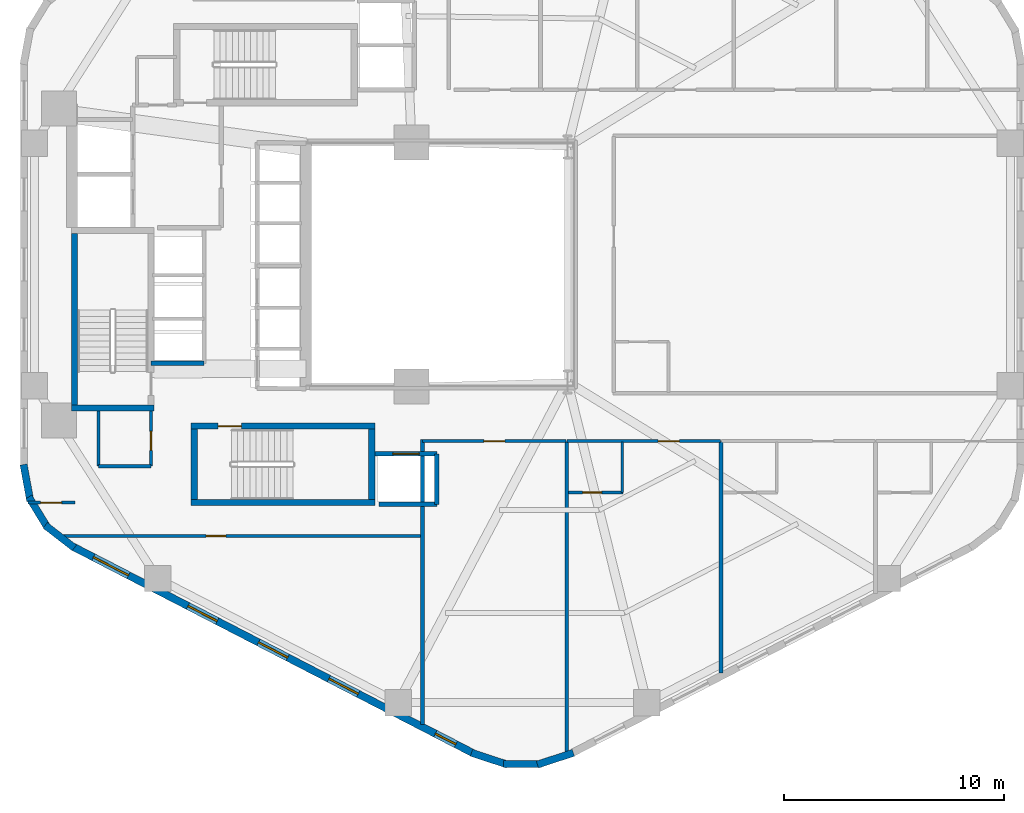
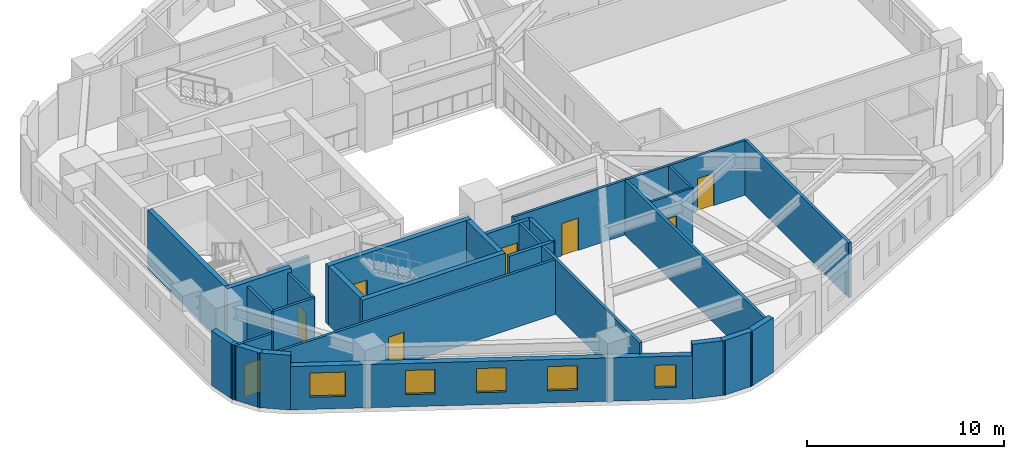
# One storey, part 2 of 7: 29 walls, 8 doors, 5 windows, 13 openings.
"""IFC4 building model written with IfcOpenShell, lengths in metres."""

from ifc_helpers import new_model, si_unit, direction, frame, frame_2d, origin, place, context, subcontext, project, spatial, rectangle, extrude, material, layer, layer_set, type_object, element, fill, save


model = new_model("IFC4")

# Units and contexts
model_context = context("Model", 3, precision=1e-05, world=origin(), true_north=direction((0.0, 1.0)))
body_context = subcontext(model_context, "Body", "Model", "MODEL_VIEW")
ifc_project = project(units=[si_unit("LENGTHUNIT", "METRE"), si_unit("AREAUNIT", "SQUARE_METRE"), si_unit("VOLUMEUNIT", "CUBIC_METRE"), si_unit("PLANEANGLEUNIT", "RADIAN"), si_unit("MASSUNIT", "GRAM", prefix="KILO"), si_unit("THERMODYNAMICTEMPERATUREUNIT", "KELVIN"), si_unit("POWERUNIT", "WATT")], contexts=[model_context])

# Site, building, storey
site_placement = place(None, origin())
site = spatial("IfcSite", under=ifc_project, at=site_placement, CompositionType="ELEMENT")
building_placement = place(site_placement, origin())
building = spatial("IfcBuilding", under=site, at=building_placement, Name="Skarre Station Tower", CompositionType="ELEMENT")
storey_placement = place(building_placement, frame((0.0, 0.0, 89.050048828125)))
storey = spatial("IfcBuildingStorey", under=building, at=storey_placement, Name="L23", CompositionType="ELEMENT", Elevation=89.050048828125)

# Walls
ifc_material_1 = material(Name="Acoustic Steel-Stud Gypsum Partition", Category="steel")
ifc_layer_1 = layer(ifc_material_1, 0.14990234375, Name="Acoustic Steel-Stud Gypsum Partition")
ifc_layer_set_1 = layer_set([ifc_layer_1], Name="Acoustic Steel-Stud Gypsum Partition")
wall_type_1 = type_object("IfcWallType", Name="Fire-Rated Corridor Acoustic Partition 150", PredefinedType="PARTITIONING", material=ifc_layer_set_1)
wall_1_placement = place(storey_placement, frame((18.10009765625, 17.340087890625, 0.0), z_axis=(0.0, 0.0, 1.0), x_axis=(0.0, -1.0, 0.0)))
element("IfcWall", 1, at=wall_1_placement, inside=storey, type_object=wall_type_1, Name="L23 Interior Partition WL-PT-L23-CSVC-W", PredefinedType="PARTITIONING", context=body_context, shape_type="SweptSolid", body=[
    extrude(rectangle(XDim=2.52001953125, YDim=0.14990234375, at=frame_2d((1.260009765625, 0.0))), origin(), (0.0, 0.0, 1.0), 3.389892578125),
])
wall_2_placement = place(storey_placement, frame((18.10009765625, 14.820068359375, 0.0), z_axis=(0.0, 0.0, 1.0), x_axis=(1.0, 0.0, 0.0)))
element("IfcWall", 2, at=wall_2_placement, inside=storey, type_object=wall_type_1, Name="L23 Interior Partition WL-PT-L23-CSVC-S", PredefinedType="PARTITIONING", context=body_context, shape_type="SweptSolid", body=[
    extrude(rectangle(XDim=2.389892578125, YDim=0.14990234375, at=frame_2d((1.19482421875, 0.0))), origin(), (0.0, 0.0, 1.0), 3.389892578125),
])

# Wall, opening, door
wall_3_placement = place(storey_placement, frame((20.489990234375, 14.820068359375, 0.0), z_axis=(0.0, 0.0, 1.0), x_axis=(0.0, 1.0, 0.0)))
wall_3 = element("IfcWall", 3, at=wall_3_placement, inside=storey, type_object=wall_type_1, Name="L23 Interior Partition WL-PT-L23-CSVC-E", PredefinedType="PARTITIONING", context=body_context, shape_type="SweptSolid", body=[
    extrude(rectangle(XDim=2.52001953125, YDim=0.14990234375, at=frame_2d((1.260009765625, 0.0))), origin(), (0.0, 0.0, 1.0), 3.389892578125),
])
opening_1_placement = place(wall_3_placement, frame((0.719970703125, 0.0, 0.0)))
opening_1 = element("IfcOpeningElement", 4, at=opening_1_placement, cuts=wall_3, Name="Opening DR-SVC86", PredefinedType="OPENING", context=body_context, shape_type="SweptSolid", body=[
    extrude(rectangle(XDim=0.860107421875, YDim=2.0, at=frame_2d((0.43017578125, 1.0))), frame((0.0, 0.0849609375, 0.0), z_axis=(0.0, -1.0, 0.0), x_axis=(1.0, 0.0, 0.0)), (0.0, 0.0, 1.0), 0.169921875),
])
ifc_material_2 = material(Name="Powder-Coated Hollow-Metal Acoustic Fire Leaf", Category="steel")
door_type_1 = type_object("IfcDoorType", Name="Compact Riser Fire Door FD60 860x2100", OperationType="SINGLE_SWING_LEFT", PredefinedType="DOOR", material=ifc_material_2)
door_1_placement = place(opening_1_placement, origin())
door_1 = element("IfcDoor", 5, at=door_1_placement, inside=storey, type_object=door_type_1, Name="L23 Core Staff Toilet Door", OperationType="SINGLE_SWING_LEFT", OverallHeight=2.0, OverallWidth=0.860107421875, PredefinedType="DOOR", context=body_context, shape_type="SweptSolid", body=[
    extrude(rectangle(XDim=0.860107421875, YDim=2.0, at=frame_2d((0.43017578125, 1.0))), frame((0.0, 0.02490234375, 0.0), z_axis=(0.0, -1.0, 0.0), x_axis=(1.0, 0.0, 0.0)), (0.0, 0.0, 1.0), 0.050048828125),
])
fill(opening_1, door_1)

wall_4_placement = place(storey_placement, frame((16.487060546875, 11.639892578125, 0.0), z_axis=(0.0, 0.0, 1.0), x_axis=(1.0, 0.0, 0.0)))
wall_4 = element("IfcWall", 6, at=wall_4_placement, inside=storey, type_object=wall_type_1, Name="L23 Interior Partition WL-PT-L23-SWP-N", PredefinedType="PARTITIONING", context=body_context, shape_type="SweptSolid", body=[
    extrude(rectangle(XDim=16.363037109375, YDim=0.14990234375, at=frame_2d((8.181640625, 0.0))), origin(), (0.0, 0.0, 1.0), 3.389892578125),
])
opening_2_placement = place(wall_4_placement, frame((6.512939453125, 0.0, 0.0)))
opening_2 = element("IfcOpeningElement", 7, at=opening_2_placement, cuts=wall_4, Name="Opening DR-SVC90", PredefinedType="OPENING", context=body_context, shape_type="SweptSolid", body=[
    extrude(rectangle(XDim=0.89990234375, YDim=2.0, at=frame_2d((0.449951171875, 1.0))), frame((0.0, 0.0849609375, 0.0), z_axis=(0.0, -1.0, 0.0), x_axis=(1.0, 0.0, 0.0)), (0.0, 0.0, 1.0), 0.169921875),
])
door_type_2 = type_object("IfcDoorType", Name="Service & Riser Fire Door FD60 900x2100", OperationType="SINGLE_SWING_LEFT", PredefinedType="DOOR", material=ifc_material_2)
door_2_placement = place(opening_2_placement, origin())
door_2 = element("IfcDoor", 8, at=door_2_placement, inside=storey, type_object=door_type_2, Name="L23 Floor Public Toilets Door", OperationType="SINGLE_SWING_LEFT", OverallHeight=2.0, OverallWidth=0.89990234375, PredefinedType="DOOR", context=body_context, shape_type="SweptSolid", body=[
    extrude(rectangle(XDim=0.89990234375, YDim=2.0, at=frame_2d((0.449951171875, 1.0))), frame((0.0, 0.02490234375, 0.0), z_axis=(0.0, -1.0, 0.0), x_axis=(1.0, 0.0, 0.0)), (0.0, 0.0, 1.0), 0.050048828125),
])
fill(opening_2, door_2)

wall_5_placement = place(storey_placement, frame((17.02001953125, 13.159912109375, 0.0), z_axis=(0.0, 0.0, 1.0), x_axis=(-1.0, 0.0, 0.0)))
wall_5 = element("IfcWall", 9, at=wall_5_placement, inside=storey, type_object=wall_type_1, Name="L23 Interior Partition WL-PT-L23-WW1-CW", PredefinedType="PARTITIONING", context=body_context, shape_type="SweptSolid", body=[
    extrude(rectangle(XDim=2.1201171875, YDim=0.14990234375, at=frame_2d((1.06005859375, 0.0))), origin(), (0.0, 0.0, 1.0), 3.389892578125),
])
opening_3_placement = place(wall_5_placement, frame((0.596923828125, 0.0, 0.0)))
opening_3 = element("IfcOpeningElement", 10, at=opening_3_placement, cuts=wall_5, Name="Opening DR-FD60", PredefinedType="OPENING", context=body_context, shape_type="SweptSolid", body=[
    extrude(rectangle(XDim=0.9599609375, YDim=2.0, at=frame_2d((0.47998046875, 1.0))), frame((0.0, 0.0849609375, 0.0), z_axis=(0.0, -1.0, 0.0), x_axis=(1.0, 0.0, 0.0)), (0.0, 0.0, 1.0), 0.169921875),
])
ifc_material_3 = material(Name="Nordic White-Oak Veneer Solid-Core Fire Leaf", Category="wood")
door_type_3 = type_object("IfcDoorType", Name="Corridor Suite Entry Fire Door FD60 960x2150", OperationType="SINGLE_SWING_LEFT", PredefinedType="DOOR", material=ifc_material_3)
door_3_placement = place(opening_3_placement, origin())
door_3 = element("IfcDoor", 11, at=door_3_placement, inside=storey, type_object=door_type_3, Name="L23 WW1 Entry Door", OperationType="SINGLE_SWING_LEFT", OverallHeight=2.0, OverallWidth=0.9599609375, PredefinedType="DOOR", context=body_context, shape_type="SweptSolid", body=[
    extrude(rectangle(XDim=0.9599609375, YDim=2.0, at=frame_2d((0.47998046875, 1.0))), frame((0.0, 0.02490234375, 0.0), z_axis=(0.0, -1.0, 0.0), x_axis=(1.0, 0.0, 0.0)), (0.0, 0.0, 1.0), 0.050048828125),
])
fill(opening_3, door_3)

wall_6_placement = place(storey_placement, frame((32.85009765625, 15.9599609375, 0.0), z_axis=(0.0, 0.0, 1.0), x_axis=(1.0, 0.0, 0.0)))
wall_6 = element("IfcWall", 12, at=wall_6_placement, inside=storey, type_object=wall_type_1, Name="L23 Interior Partition WL-PT-L23-SW1-CW", PredefinedType="PARTITIONING", context=body_context, shape_type="SweptSolid", body=[
    extrude(rectangle(XDim=6.5419921875, YDim=0.14990234375, at=frame_2d((3.27099609375, 0.0))), origin(), (0.0, 0.0, 1.0), 3.389892578125),
])
opening_4_placement = place(wall_6_placement, frame((2.791015625, 0.0, 0.0)))
opening_4 = element("IfcOpeningElement", 13, at=opening_4_placement, cuts=wall_6, Name="Opening DR-FD60", PredefinedType="OPENING", context=body_context, shape_type="SweptSolid", body=[
    extrude(rectangle(XDim=0.9599609375, YDim=2.0, at=frame_2d((0.47998046875, 1.0))), frame((0.0, 0.0849609375, 0.0), z_axis=(0.0, -1.0, 0.0), x_axis=(1.0, 0.0, 0.0)), (0.0, 0.0, 1.0), 0.169921875),
])
door_4_placement = place(opening_4_placement, origin())
door_4 = element("IfcDoor", 14, at=door_4_placement, inside=storey, type_object=door_type_3, Name="L23 SW1 Entry Door", OperationType="SINGLE_SWING_LEFT", OverallHeight=2.0, OverallWidth=0.9599609375, PredefinedType="DOOR", context=body_context, shape_type="SweptSolid", body=[
    extrude(rectangle(XDim=0.9599609375, YDim=2.0, at=frame_2d((0.47998046875, 1.0))), frame((0.0, 0.02490234375, 0.0), z_axis=(0.0, -1.0, 0.0), x_axis=(1.0, 0.0, 0.0)), (0.0, 0.0, 1.0), 0.050048828125),
])
fill(opening_4, door_4)

wall_7_placement = place(storey_placement, frame((39.427978515625, 15.9599609375, 0.0), z_axis=(0.0, 0.0, 1.0), x_axis=(1.0, 0.0, 0.0)))
wall_7 = element("IfcWall", 15, at=wall_7_placement, inside=storey, type_object=wall_type_1, Name="L23 Interior Partition WL-PT-L23-SW2-CW", PredefinedType="PARTITIONING", context=body_context, shape_type="SweptSolid", body=[
    extrude(rectangle(XDim=6.99609375, YDim=0.14990234375, at=frame_2d((3.498046875, 0.0))), origin(), (0.0, 0.0, 1.0), 3.389892578125),
])
opening_5_placement = place(wall_7_placement, frame((4.153076171875, 0.0, 0.0)))
opening_5 = element("IfcOpeningElement", 16, at=opening_5_placement, cuts=wall_7, Name="Opening DR-FD60", PredefinedType="OPENING", context=body_context, shape_type="SweptSolid", body=[
    extrude(rectangle(XDim=0.9599609375, YDim=2.0, at=frame_2d((0.47998046875, 1.0))), frame((0.0, 0.0849609375, 0.0), z_axis=(0.0, -1.0, 0.0), x_axis=(1.0, 0.0, 0.0)), (0.0, 0.0, 1.0), 0.169921875),
])
door_5_placement = place(opening_5_placement, origin())
door_5 = element("IfcDoor", 17, at=door_5_placement, inside=storey, type_object=door_type_3, Name="L23 SW2 Entry Door", OperationType="SINGLE_SWING_LEFT", OverallHeight=2.0, OverallWidth=0.9599609375, PredefinedType="DOOR", context=body_context, shape_type="SweptSolid", body=[
    extrude(rectangle(XDim=0.9599609375, YDim=2.0, at=frame_2d((0.47998046875, 1.0))), frame((0.0, 0.02490234375, 0.0), z_axis=(0.0, -1.0, 0.0), x_axis=(1.0, 0.0, 0.0)), (0.0, 0.0, 1.0), 0.050048828125),
])
fill(opening_5, door_5)

ifc_material_4 = material(Name="Insulated Timber-Stud Gypsum Partition", Category="wood")
ifc_layer_2 = layer(ifc_material_4, 0.1201171875, Name="Insulated Timber-Stud Gypsum Partition")
ifc_layer_set_2 = layer_set([ifc_layer_2], Name="Insulated Timber-Stud Gypsum Partition")
wall_type_2 = type_object("IfcWallType", Name="Internal Suite Acoustic Partition 120", PredefinedType="PARTITIONING", material=ifc_layer_set_2)
wall_8_placement = place(storey_placement, frame((39.4951171875, 13.6201171875, 0.0), z_axis=(0.0, 0.0, 1.0), x_axis=(1.0, 0.0, 0.0)))
wall_8 = element("IfcWall", 18, at=wall_8_placement, inside=storey, type_object=wall_type_2, Name="L23 Interior Partition WL-PT-L23-SW2-SA1", PredefinedType="PARTITIONING", context=body_context, shape_type="SweptSolid", body=[
    extrude(rectangle(XDim=2.47998046875, YDim=0.1201171875, at=frame_2d((1.239990234375, 0.0))), origin(), (0.0, 0.0, 1.0), 3.389892578125),
])
opening_6_placement = place(wall_8_placement, frame((0.64990234375, 0.0, 0.0)))
opening_6 = element("IfcOpeningElement", 19, at=opening_6_placement, cuts=wall_8, Name="Opening DR-INT86", PredefinedType="OPENING", context=body_context, shape_type="SweptSolid", body=[
    extrude(rectangle(XDim=0.860107421875, YDim=2.0, at=frame_2d((0.43017578125, 1.0))), frame((0.0, 0.070068359375, 0.0), z_axis=(0.0, -1.0, 0.0), x_axis=(1.0, 0.0, 0.0)), (0.0, 0.0, 1.0), 0.14013671875),
])
ifc_material_5 = material(Name="Nordic Birch Acoustic Solid-Core Timber Leaf", Category="wood")
door_type_4 = type_object("IfcDoorType", Name="Internal En-Suite & Bedroom Door 860x2100", OperationType="SINGLE_SWING_LEFT", PredefinedType="DOOR", material=ifc_material_5)
door_6_placement = place(opening_6_placement, origin())
door_6 = element("IfcDoor", 20, at=door_6_placement, inside=storey, type_object=door_type_4, Name="L23 SW2 Alcove Store Door", OperationType="SINGLE_SWING_LEFT", OverallHeight=2.0, OverallWidth=0.860107421875, PredefinedType="DOOR", context=body_context, shape_type="SweptSolid", body=[
    extrude(rectangle(XDim=0.860107421875, YDim=2.0, at=frame_2d((0.43017578125, 1.0))), frame((0.0, 0.02490234375, 0.0), z_axis=(0.0, -1.0, 0.0), x_axis=(1.0, 0.0, 0.0)), (0.0, 0.0, 1.0), 0.050048828125),
])
fill(opening_6, door_6)

# Wall
wall_9_placement = place(storey_placement, frame((41.945068359375, 13.6201171875, 0.0), z_axis=(0.0, 0.0, 1.0), x_axis=(0.0, 1.0, 0.0)))
element("IfcWall", 21, at=wall_9_placement, inside=storey, type_object=wall_type_2, Name="L23 Interior Partition WL-PT-L23-SW2-SA2", PredefinedType="PARTITIONING", context=body_context, shape_type="SweptSolid", body=[
    extrude(rectangle(XDim=2.2998046875, YDim=0.1201171875, at=frame_2d((1.14990234375, 0.0))), origin(), (0.0, 0.0, 1.0), 3.389892578125),
])

# Wall, openings, windows
ifc_material_6 = material(Name="Precast concrete C45/55", Category="concrete")
ifc_layer_3 = layer(ifc_material_6, 0.340087890625, Name="Precast concrete C45/55")
ifc_layer_set_3 = layer_set([ifc_layer_3], Name="Precast concrete C45/55")
wall_type_3 = type_object("IfcWallType", Name="Nordic Honed Precast Facet Wall 340", PredefinedType="STANDARD", material=ifc_layer_set_3)
wall_10_placement = place(storey_placement, frame((35.1689453125, 1.742919921875, 0.0), z_axis=(0.0, 0.0, 1.0), x_axis=(-0.888634413993, 0.458616264721, 0.0)))
wall_10 = element("IfcWall", 22, at=wall_10_placement, inside=storey, type_object=wall_type_3, Name="L23 Facet 3 Nordic Precast Masonry Wall", PredefinedType="STANDARD", context=body_context, shape_type="SweptSolid", body=[
    extrude(rectangle(XDim=20.53125, YDim=0.340087890625, at=frame_2d((10.265625, 0.0))), origin(), (0.0, 0.0, 1.0), 2.683837890625),
])
opening_7_placement = place(wall_10_placement, frame((0.902099609375, 0.0, 0.75)))
opening_7 = element("IfcOpeningElement", 23, at=opening_7_placement, cuts=wall_10, Name="Opening WN-SLT", PredefinedType="OPENING", context=body_context, shape_type="SweptSolid", body=[
    extrude(rectangle(XDim=1.050048828125, YDim=1.39990234375, at=frame_2d((0.52490234375, 0.699951171875))), frame((0.0, 0.179931640625, 0.0), z_axis=(0.0, -1.0, 0.0), x_axis=(1.0, 0.0, 0.0)), (0.0, 0.0, 1.0), 0.360107421875),
])
opening_8_placement = place(wall_10_placement, frame((5.903076171875, 0.0, 0.75)))
opening_8 = element("IfcOpeningElement", 24, at=opening_8_placement, cuts=wall_10, Name="Opening WN-Z1B", PredefinedType="OPENING", context=body_context, shape_type="SweptSolid", body=[
    extrude(rectangle(XDim=1.5, YDim=1.5, at=frame_2d((0.75, 0.75))), frame((0.0, 0.179931640625, 0.0), z_axis=(0.0, -1.0, 0.0), x_axis=(1.0, 0.0, 0.0)), (0.0, 0.0, 1.0), 0.360107421875),
])
opening_9_placement = place(wall_10_placement, frame((9.51611328125, 0.0, 0.75)))
opening_9 = element("IfcOpeningElement", 25, at=opening_9_placement, cuts=wall_10, Name="Opening WN-Z1B", PredefinedType="OPENING", context=body_context, shape_type="SweptSolid", body=[
    extrude(rectangle(XDim=1.5, YDim=1.5, at=frame_2d((0.75, 0.75))), frame((0.0, 0.179931640625, 0.0), z_axis=(0.0, -1.0, 0.0), x_axis=(1.0, 0.0, 0.0)), (0.0, 0.0, 1.0), 0.360107421875),
])
opening_10_placement = place(wall_10_placement, frame((13.12890625, 0.0, 0.75)))
opening_10 = element("IfcOpeningElement", 26, at=opening_10_placement, cuts=wall_10, Name="Opening WN-Z1B", PredefinedType="OPENING", context=body_context, shape_type="SweptSolid", body=[
    extrude(rectangle(XDim=1.5, YDim=1.5, at=frame_2d((0.75, 0.75))), frame((0.0, 0.179931640625, 0.0), z_axis=(0.0, -1.0, 0.0), x_axis=(1.0, 0.0, 0.0)), (0.0, 0.0, 1.0), 0.360107421875),
])
opening_11_placement = place(wall_10_placement, frame((17.673095703125, 0.0, 0.75)))
opening_11 = element("IfcOpeningElement", 27, at=opening_11_placement, cuts=wall_10, Name="Opening WN-Z1A", PredefinedType="OPENING", context=body_context, shape_type="SweptSolid", body=[
    extrude(rectangle(XDim=1.800048828125, YDim=1.5, at=frame_2d((0.89990234375, 0.75))), frame((0.0, 0.179931640625, 0.0), z_axis=(0.0, -1.0, 0.0), x_axis=(1.0, 0.0, 0.0)), (0.0, 0.0, 1.0), 0.360107421875),
])
ifc_material_7 = material(Name="Low-Iron Triple Glazing with Bronze Anodized Frame", Category="glass")
window_type_1 = type_object("IfcWindowType", Name="Nordic Corner Slot Window 1050x1400", PartitioningType="SINGLE_PANEL", PredefinedType="WINDOW", material=ifc_material_7)
window_1_placement = place(opening_7_placement, origin())
window_1 = element("IfcWindow", 28, at=window_1_placement, inside=storey, type_object=window_type_1, Name="L23 Facade Window WL-FAC-L23-F3-1", OverallHeight=1.39990234375, OverallWidth=1.050048828125, PartitioningType="SINGLE_PANEL", PredefinedType="WINDOW", context=body_context, shape_type="SweptSolid", body=[
    extrude(rectangle(XDim=1.050048828125, YDim=1.39990234375, at=frame_2d((0.52490234375, 0.699951171875))), frame((0.0, 0.030029296875, 0.0), z_axis=(0.0, -1.0, 0.0), x_axis=(1.0, 0.0, 0.0)), (0.0, 0.0, 1.0), 0.06005859375),
])
fill(opening_7, window_1)
window_type_2 = type_object("IfcWindowType", Name="Nordic Punched Triple-Glazed Window 1500x1500", PartitioningType="SINGLE_PANEL", PredefinedType="WINDOW", material=ifc_material_7)
window_2_placement = place(opening_8_placement, origin())
window_2 = element("IfcWindow", 29, at=window_2_placement, inside=storey, type_object=window_type_2, Name="L23 Facade Window WL-FAC-L23-F3-2", OverallHeight=1.5, OverallWidth=1.5, PartitioningType="SINGLE_PANEL", PredefinedType="WINDOW", context=body_context, shape_type="SweptSolid", body=[
    extrude(rectangle(XDim=1.5, YDim=1.5, at=frame_2d((0.75, 0.75))), frame((0.0, 0.030029296875, 0.0), z_axis=(0.0, -1.0, 0.0), x_axis=(1.0, 0.0, 0.0)), (0.0, 0.0, 1.0), 0.06005859375),
])
fill(opening_8, window_2)
window_3_placement = place(opening_9_placement, origin())
window_3 = element("IfcWindow", 30, at=window_3_placement, inside=storey, type_object=window_type_2, Name="L23 Facade Window WL-FAC-L23-F3-3", OverallHeight=1.5, OverallWidth=1.5, PartitioningType="SINGLE_PANEL", PredefinedType="WINDOW", context=body_context, shape_type="SweptSolid", body=[
    extrude(rectangle(XDim=1.5, YDim=1.5, at=frame_2d((0.75, 0.75))), frame((0.0, 0.030029296875, 0.0), z_axis=(0.0, -1.0, 0.0), x_axis=(1.0, 0.0, 0.0)), (0.0, 0.0, 1.0), 0.06005859375),
])
fill(opening_9, window_3)
window_4_placement = place(opening_10_placement, origin())
window_4 = element("IfcWindow", 31, at=window_4_placement, inside=storey, type_object=window_type_2, Name="L23 Facade Window WL-FAC-L23-F3-4", OverallHeight=1.5, OverallWidth=1.5, PartitioningType="SINGLE_PANEL", PredefinedType="WINDOW", context=body_context, shape_type="SweptSolid", body=[
    extrude(rectangle(XDim=1.5, YDim=1.5, at=frame_2d((0.75, 0.75))), frame((0.0, 0.030029296875, 0.0), z_axis=(0.0, -1.0, 0.0), x_axis=(1.0, 0.0, 0.0)), (0.0, 0.0, 1.0), 0.06005859375),
])
fill(opening_10, window_4)
window_type_3 = type_object("IfcWindowType", Name="Nordic Punched Triple-Glazed Window 1800x1500", PartitioningType="SINGLE_PANEL", PredefinedType="WINDOW", material=ifc_material_7)
window_5_placement = place(opening_11_placement, origin())
window_5 = element("IfcWindow", 32, at=window_5_placement, inside=storey, type_object=window_type_3, Name="L23 Facade Window WL-FAC-L23-F3-5", OverallHeight=1.5, OverallWidth=1.800048828125, PartitioningType="SINGLE_PANEL", PredefinedType="WINDOW", context=body_context, shape_type="SweptSolid", body=[
    extrude(rectangle(XDim=1.800048828125, YDim=1.5, at=frame_2d((0.89990234375, 0.75))), frame((0.0, 0.030029296875, 0.0), z_axis=(0.0, -1.0, 0.0), x_axis=(1.0, 0.0, 0.0)), (0.0, 0.0, 1.0), 0.06005859375),
])
fill(opening_11, window_5)

# Walls
ifc_layer_4 = layer(ifc_material_6, 0.330078125, Name="Precast concrete C45/55")
ifc_layer_set_4 = layer_set([ifc_layer_4], Name="Precast concrete C45/55")
wall_type_4 = type_object("IfcWallType", Name="Nordic Rounded Corner Precast Wall 330", PredefinedType="STANDARD", material=ifc_layer_set_4)
wall_11_placement = place(storey_placement, frame((16.998046875, 11.09912109375, 0.0), z_axis=(0.0, 0.0, 1.0), x_axis=(-0.790691856293, 0.61221433207, 0.0)))
element("IfcWall", 33, at=wall_11_placement, inside=storey, type_object=wall_type_4, Name="L23 Rounded Corner Precast Wall F3-1", PredefinedType="STANDARD", context=body_context, shape_type="SweptSolid", body=[
    extrude(rectangle(XDim=1.67578125, YDim=0.330078125, at=frame_2d((0.837890625, 0.0))), origin(), (0.0, 0.0, 1.0), 3.389892578125),
])
wall_12_placement = place(storey_placement, frame((15.798095703125, 11.985107421875, 0.0), z_axis=(0.0, 0.0, 1.0), x_axis=(-0.520584129191, 0.853810379671, 0.0)))
element("IfcWall", 34, at=wall_12_placement, inside=storey, type_object=wall_type_4, Name="L23 Rounded Corner Precast Wall F3-2", PredefinedType="STANDARD", context=body_context, shape_type="SweptSolid", body=[
    extrude(rectangle(XDim=1.677001953125, YDim=0.330078125, at=frame_2d((0.83837890625, 0.0))), origin(), (0.0, 0.0, 1.0), 3.389892578125),
])
wall_13_placement = place(storey_placement, frame((14.991943359375, 13.241943359375, 0.0), z_axis=(0.0, 0.0, 1.0), x_axis=(-0.181714143354, 0.983351397063, 0.0)))
element("IfcWall", 35, at=wall_13_placement, inside=storey, type_object=wall_type_4, Name="L23 Rounded Corner Precast Wall F3-3", PredefinedType="STANDARD", context=body_context, shape_type="SweptSolid", body=[
    extrude(rectangle(XDim=1.677978515625, YDim=0.330078125, at=frame_2d((0.8388671875, 0.0))), origin(), (0.0, 0.0, 1.0), 3.389892578125),
])
wall_14_placement = place(storey_placement, frame((39.718994140625, 1.76904296875, 0.0), z_axis=(0.0, 0.0, 1.0), x_axis=(-0.94976901097, -0.312951794691, 0.0)))
element("IfcWall", 36, at=wall_14_placement, inside=storey, type_object=wall_type_4, Name="L23 Rounded Corner Precast Wall F4-1", PredefinedType="STANDARD", context=body_context, shape_type="SweptSolid", body=[
    extrude(rectangle(XDim=1.722412109375, YDim=0.330078125, at=frame_2d((0.861328125, 0.0))), origin(), (0.0, 0.0, 1.0), 3.389892578125),
])
wall_15_placement = place(storey_placement, frame((38.260986328125, 1.259033203125, 0.0), z_axis=(0.0, 0.0, 1.0), x_axis=(-1.0, 0.0, 0.0)))
element("IfcWall", 37, at=wall_15_placement, inside=storey, type_object=wall_type_4, Name="L23 Rounded Corner Precast Wall F4-2", PredefinedType="STANDARD", context=body_context, shape_type="SweptSolid", body=[
    extrude(rectangle(XDim=1.721923828125, YDim=0.330078125, at=frame_2d((0.86083984375, 0.0))), origin(), (0.0, 0.0, 1.0), 3.389892578125),
])
wall_16_placement = place(storey_placement, frame((36.717041015625, 1.22998046875, 0.0), z_axis=(0.0, 0.0, 1.0), x_axis=(-0.94976901097, 0.312951794691, 0.0)))
element("IfcWall", 38, at=wall_16_placement, inside=storey, type_object=wall_type_4, Name="L23 Rounded Corner Precast Wall F4-3", PredefinedType="STANDARD", context=body_context, shape_type="SweptSolid", body=[
    extrude(rectangle(XDim=1.722412109375, YDim=0.330078125, at=frame_2d((0.861328125, 0.0))), origin(), (0.0, 0.0, 1.0), 3.389892578125),
])
ifc_material_8 = material(Name="Concrete C50/60", Category="concrete")
ifc_layer_5 = layer(ifc_material_8, 0.280029296875, Name="Concrete C50/60")
ifc_layer_set_5 = layer_set([ifc_layer_5], Name="Concrete C50/60")
wall_type_5 = type_object("IfcWallType", Name="RC Core Shear Wall 280", PredefinedType="SHEAR", material=ifc_layer_set_5)
wall_17_placement = place(storey_placement, frame((16.8701171875, 17.4599609375, 0.0), z_axis=(0.0, 0.0, 1.0), x_axis=(1.0, 0.0, 0.0)))
element("IfcWall", 39, at=wall_17_placement, inside=storey, type_object=wall_type_5, Name="L23 Stair ST-1 South Shear Wall", PredefinedType="SHEAR", context=body_context, shape_type="SweptSolid", body=[
    extrude(rectangle(XDim=3.759765625, YDim=0.280029296875, at=frame_2d((1.8798828125, 0.0))), origin(), (0.0, 0.0, 1.0), 3.64990234375),
])
wall_18_placement = place(storey_placement, frame((17.010009765625, 25.39990234375, 0.0), z_axis=(0.0, 0.0, 1.0), x_axis=(0.0, -1.0, 0.0)))
element("IfcWall", 40, at=wall_18_placement, inside=storey, type_object=wall_type_5, Name="L23 Stair ST-1 West Shear Wall", PredefinedType="SHEAR", context=body_context, shape_type="SweptSolid", body=[
    extrude(rectangle(XDim=7.7998046875, YDim=0.280029296875, at=frame_2d((3.89990234375, 0.0))), origin(), (0.0, 0.0, 1.0), 3.64990234375),
])
wall_19_placement = place(storey_placement, frame((22.320068359375, 13.159912109375, 0.0), z_axis=(0.0, 0.0, 1.0), x_axis=(1.0, 0.0, 0.0)))
element("IfcWall", 41, at=wall_19_placement, inside=storey, type_object=wall_type_5, Name="L23 Stair ST-2 South Shear Wall", PredefinedType="SHEAR", context=body_context, shape_type="SweptSolid", body=[
    extrude(rectangle(XDim=8.35986328125, YDim=0.280029296875, at=frame_2d((4.179931640625, 0.0))), origin(), (0.0, 0.0, 1.0), 3.64990234375),
])

# Wall, opening, door
wall_20_placement = place(storey_placement, frame((30.679931640625, 16.639892578125, 0.0), z_axis=(0.0, 0.0, 1.0), x_axis=(-1.0, 0.0, 0.0)))
wall_20 = element("IfcWall", 42, at=wall_20_placement, inside=storey, type_object=wall_type_5, Name="L23 Stair ST-2 North Shear Wall", PredefinedType="SHEAR", context=body_context, shape_type="SweptSolid", body=[
    extrude(rectangle(XDim=8.35986328125, YDim=0.280029296875, at=frame_2d((4.179931640625, 0.0))), origin(), (0.0, 0.0, 1.0), 3.64990234375),
])
opening_12_placement = place(wall_20_placement, frame((6.080078125, 0.0, 0.0)))
opening_12 = element("IfcOpeningElement", 43, at=opening_12_placement, cuts=wall_20, Name="Opening DR-FD90", PredefinedType="OPENING", context=body_context, shape_type="SweptSolid", body=[
    extrude(rectangle(XDim=1.050048828125, YDim=2.0, at=frame_2d((0.52490234375, 1.0))), frame((0.0, 0.14990234375, 0.0), z_axis=(0.0, -1.0, 0.0), x_axis=(1.0, 0.0, 0.0)), (0.0, 0.0, 1.0), 0.300048828125),
])
ifc_material_9 = material(Name="Fire-Rated Insulated Steel Frame & Timber Core Leaf", Category="steel")
door_type_5 = type_object("IfcDoorType", Name="Stair & FSAE Lobby Fire Door FD90 1050x2150", OperationType="SINGLE_SWING_RIGHT", PredefinedType="DOOR", material=ifc_material_9)
door_7_placement = place(opening_12_placement, origin())
door_7 = element("IfcDoor", 44, at=door_7_placement, inside=storey, type_object=door_type_5, Name="L23 Stair ST-2 Exit Door", OperationType="SINGLE_SWING_RIGHT", OverallHeight=2.0, OverallWidth=1.050048828125, PredefinedType="DOOR", context=body_context, shape_type="SweptSolid", body=[
    extrude(rectangle(XDim=1.050048828125, YDim=2.0, at=frame_2d((0.52490234375, 1.0))), frame((0.0, 0.02490234375, 0.0), z_axis=(0.0, -1.0, 0.0), x_axis=(1.0, 0.0, 0.0)), (0.0, 0.0, 1.0), 0.050048828125),
])
fill(opening_12, door_7)

# Walls
for number, where, z_axis, x_axis, name in (
    (45, (22.4599609375, 16.5, 0.0), (0.0, 0.0, 1.0), (0.0, -1.0, 0.0), "L23 Stair ST-2 West Shear Wall"),
    (46, (30.5400390625, 13.300048828125, 0.0), (0.0, 0.0, 1.0), (0.0, 1.0, 0.0), "L23 Stair ST-2 East Shear Wall"),
):
    element("IfcWall", number, at=place(storey_placement, frame(where, z_axis=z_axis, x_axis=x_axis)), inside=storey, type_object=wall_type_5, Name=name, PredefinedType="SHEAR", context=body_context, shape_type="SweptSolid", body=[
        extrude(rectangle(XDim=3.199951171875, YDim=0.280029296875, at=frame_2d((1.60009765625, 0.0))), origin(), (0.0, 0.0, 1.0), 3.64990234375),
    ])

# Wall, opening, door
ifc_material_10 = material(Name="Gypsum Concrete Shaft Assembly C30/37", Category="concrete")
ifc_layer_6 = layer(ifc_material_10, 0.199951171875, Name="Gypsum Concrete Shaft Assembly C30/37")
ifc_layer_set_6 = layer_set([ifc_layer_6], Name="Gypsum Concrete Shaft Assembly C30/37")
wall_type_6 = type_object("IfcWallType", Name="Shaft & Core Fire Partition 200", PredefinedType="PARTITIONING", material=ifc_layer_set_6)
wall_21_placement = place(storey_placement, frame((33.5, 15.3798828125, 0.0), z_axis=(0.0, 0.0, 1.0), x_axis=(-1.0, 0.0, 0.0)))
wall_21 = element("IfcWall", 47, at=wall_21_placement, inside=storey, type_object=wall_type_6, Name="L23 Interior Partition WL-PT-L23-SV1-N", PredefinedType="PARTITIONING", context=body_context, shape_type="SweptSolid", body=[
    extrude(rectangle(XDim=2.820068359375, YDim=0.199951171875, at=frame_2d((1.41015625, 0.0))), origin(), (0.0, 0.0, 1.0), 3.389892578125),
])
opening_13_placement = place(wall_21_placement, frame((0.800048828125, 0.0, 0.0)))
opening_13 = element("IfcOpeningElement", 48, at=opening_13_placement, cuts=wall_21, Name="Opening LD-SV1", PredefinedType="OPENING", context=body_context, shape_type="SweptSolid", body=[
    extrude(rectangle(XDim=1.199951171875, YDim=2.199951171875, at=frame_2d((0.60009765625, 1.10009765625))), frame((0.0, 0.10986328125, 0.0), z_axis=(0.0, -1.0, 0.0), x_axis=(1.0, 0.0, 0.0)), (0.0, 0.0, 1.0), 0.219970703125),
])
ifc_material_11 = material(Name="Heavy-Gauge Brushed Stainless Steel Sliding Leaves", Category="steel")
door_type_6 = type_object("IfcDoorType", Name="Service Elevator Wide Sliding Landing Door 1200x2200", OperationType="SLIDING_TO_RIGHT", PredefinedType="DOOR", material=ifc_material_11)
door_8_placement = place(opening_13_placement, origin())
door_8 = element("IfcDoor", 49, at=door_8_placement, inside=storey, type_object=door_type_6, Name="L23 Service Lift LF-SV1 Landing Door", OperationType="SLIDING_TO_RIGHT", OverallHeight=2.199951171875, OverallWidth=1.199951171875, PredefinedType="DOOR", context=body_context, shape_type="SweptSolid", body=[
    extrude(rectangle(XDim=1.199951171875, YDim=2.199951171875, at=frame_2d((0.60009765625, 1.10009765625))), frame((0.0, 0.02490234375, 0.0), z_axis=(0.0, -1.0, 0.0), x_axis=(1.0, 0.0, 0.0)), (0.0, 0.0, 1.0), 0.050048828125),
])
fill(opening_13, door_8)

# Walls
wall_22_placement = place(storey_placement, frame((33.5, 13.080078125, 0.0), z_axis=(0.0, 0.0, 1.0), x_axis=(0.0, 1.0, 0.0)))
element("IfcWall", 50, at=wall_22_placement, inside=storey, type_object=wall_type_6, Name="L23 Interior Partition WL-PT-L23-SV1-E", PredefinedType="PARTITIONING", context=body_context, shape_type="SweptSolid", body=[
    extrude(rectangle(XDim=2.2998046875, YDim=0.199951171875, at=frame_2d((1.14990234375, 0.0))), origin(), (0.0, 0.0, 1.0), 3.389892578125),
])
wall_23_placement = place(storey_placement, frame((30.87890625, 13.080078125, 0.0), z_axis=(0.0, 0.0, 1.0), x_axis=(1.0, 0.0, 0.0)))
element("IfcWall", 51, at=wall_23_placement, inside=storey, type_object=wall_type_6, Name="L23 Interior Partition WL-PT-L23-SV1-S", PredefinedType="PARTITIONING", context=body_context, shape_type="SweptSolid", body=[
    extrude(rectangle(XDim=2.62109375, YDim=0.199951171875, at=frame_2d((1.310546875, 0.0))), origin(), (0.0, 0.0, 1.0), 3.389892578125),
])
wall_24_placement = place(storey_placement, frame((20.489990234375, 19.5, 0.0), z_axis=(0.0, 0.0, 1.0), x_axis=(1.0, 0.0, 0.0)))
element("IfcWall", 52, at=wall_24_placement, inside=storey, type_object=wall_type_6, Name="L23 Interior Partition WL-PT-L23-B3-S", PredefinedType="PARTITIONING", context=body_context, shape_type="SweptSolid", body=[
    extrude(rectangle(XDim=2.409912109375, YDim=0.199951171875, at=frame_2d((1.205078125, 0.0))), origin(), (0.0, 0.0, 1.0), 2.2900390625),
])
ifc_layer_7 = layer(ifc_material_1, 0.1650390625, Name="Acoustic Steel-Stud Gypsum Partition")
ifc_layer_set_7 = layer_set([ifc_layer_7], Name="Acoustic Steel-Stud Gypsum Partition")
wall_type_7 = type_object("IfcWallType", Name="Suite Demising Acoustic Partition 165", PredefinedType="PARTITIONING", material=ifc_layer_set_7)
wall_25_placement = place(storey_placement, frame((32.85009765625, 3.06396484375, 0.0), z_axis=(0.0, 0.0, 1.0), x_axis=(0.0, 1.0, 0.0)))
element("IfcWall", 53, at=wall_25_placement, inside=storey, type_object=wall_type_7, Name="L23 Interior Partition WL-PT-L23-SWP-E", PredefinedType="PARTITIONING", context=body_context, shape_type="SweptSolid", body=[
    extrude(rectangle(XDim=12.966064453125, YDim=0.1650390625, at=frame_2d((6.48291015625, 0.0))), origin(), (0.0, 0.0, 1.0), 3.389892578125),
])
wall_26_placement = place(storey_placement, frame((39.409912109375, 1.799072265625, 0.0), z_axis=(0.0, 0.0, 1.0), x_axis=(0.0, 1.0, 0.0)))
element("IfcWall", 54, at=wall_26_placement, inside=storey, type_object=wall_type_7, Name="L23 Interior Partition WL-PT-L23-SW-P1", PredefinedType="PARTITIONING", context=body_context, shape_type="SweptSolid", body=[
    extrude(rectangle(XDim=14.130859375, YDim=0.1650390625, at=frame_2d((7.0654296875, 0.0))), origin(), (0.0, 0.0, 1.0), 3.389892578125),
])
wall_27_placement = place(storey_placement, frame((46.44189453125, 5.39306640625, 0.0), z_axis=(0.0, 0.0, 1.0), x_axis=(0.0, 1.0, 0.0)))
element("IfcWall", 55, at=wall_27_placement, inside=storey, type_object=wall_type_7, Name="L23 Interior Partition WL-PT-L23-SW-P2", PredefinedType="PARTITIONING", context=body_context, shape_type="SweptSolid", body=[
    extrude(rectangle(XDim=10.536865234375, YDim=0.1650390625, at=frame_2d((5.2685546875, 0.0))), origin(), (0.0, 0.0, 1.0), 3.389892578125),
])

save(model, "model.ifc")
